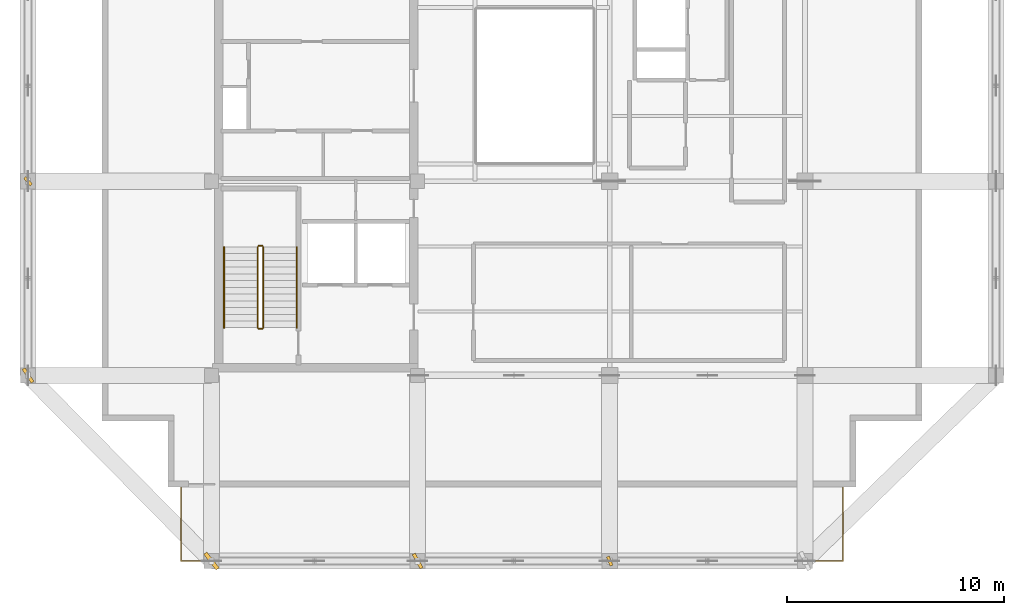
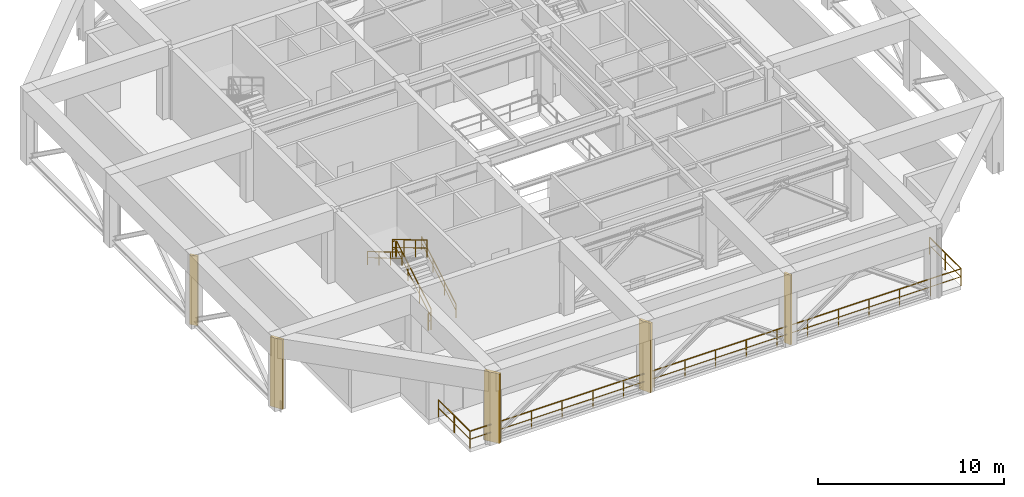
# One storey, part 7 of 10: 7 railings, 5 shading devices.
"""IFC4 building model written with IfcOpenShell, lengths in metres."""

from ifc_helpers import new_model, si_unit, direction, frame, origin, origin_2d, place, context, subcontext, project, spatial, rectangle, extrude, material, type_object, element, save


model = new_model("IFC4")

# Units and contexts
model_context = context("Model", 3, precision=1e-05, world=origin(), true_north=direction((0.0, 1.0)))
body_context = subcontext(model_context, "Body", "Model", "MODEL_VIEW")
ifc_project = project(units=[si_unit("LENGTHUNIT", "METRE"), si_unit("AREAUNIT", "SQUARE_METRE"), si_unit("VOLUMEUNIT", "CUBIC_METRE"), si_unit("PLANEANGLEUNIT", "RADIAN"), si_unit("MASSUNIT", "GRAM", prefix="KILO")], contexts=[model_context])

# Site, building, storey
site_placement = place(None, origin())
site = spatial("IfcSite", under=ifc_project, at=site_placement, CompositionType="ELEMENT")
building_placement = place(site_placement, origin())
building = spatial("IfcBuilding", under=site, at=building_placement, Name="Kundavana Baori Tower", CompositionType="ELEMENT")
storey_placement = place(building_placement, frame((0.0, 0.0, 307.699951171875)))
storey = spatial("IfcBuildingStorey", under=building, at=storey_placement, Name="L76", CompositionType="ELEMENT", Elevation=307.699951171875)

# Railings
ifc_material_1 = material(Name="Architectural Patinated Bronze Metalwork")
railing_type_1 = type_object("IfcRailingType", Name="RL-BAL-1150", PredefinedType="BALUSTRADE", material=ifc_material_1)
railing_1_placement = place(storey_placement, frame((44.550048828125, 10.10009765625, 0.0)))
element("IfcRailing", 1, at=railing_1_placement, inside=storey, type_object=railing_type_1, Name="L76 Sky Terrace Guard Balustrade S", PredefinedType="BALUSTRADE", context=body_context, shape_type="SweptSolid", body=[
    extrude(rectangle(XDim=0.048095703125, YDim=0.048095703125, at=origin_2d()), frame((0.0, 0.0, 1.1259765625), z_axis=(0.0, -1.0, 0.0), x_axis=(1.0, 0.0, 0.0)), (0.0, 0.0, 1.0), 3.400146484375),
    extrude(rectangle(XDim=0.03125, YDim=0.03125, at=origin_2d()), frame((0.0, 0.0, 0.597900390625), z_axis=(0.0, -1.0, 0.0), x_axis=(1.0, 0.0, 0.0)), (0.0, 0.0, 1.0), 3.400146484375),
    extrude(rectangle(XDim=0.048095703125, YDim=0.048095703125, at=origin_2d()), frame((0.0, -3.400146484375, 1.1259765625), z_axis=(-1.0, 0.0, 0.0), x_axis=(0.0, -1.0, 0.0)), (0.0, 0.0, 1.0), 30.5),
    extrude(rectangle(XDim=0.03125, YDim=0.03125, at=origin_2d()), frame((0.0, -3.400146484375, 0.597900390625), z_axis=(-1.0, 0.0, 0.0), x_axis=(0.0, -1.0, 0.0)), (0.0, 0.0, 1.0), 30.5),
    extrude(rectangle(XDim=0.048095703125, YDim=0.048095703125, at=origin_2d()), frame((-30.5, -3.400146484375, 1.1259765625), z_axis=(0.0, 1.0, 0.0), x_axis=(-1.0, 0.0, 0.0)), (0.0, 0.0, 1.0), 3.400146484375),
    extrude(rectangle(XDim=0.03125, YDim=0.03125, at=origin_2d()), frame((-30.5, -3.400146484375, 0.597900390625), z_axis=(0.0, 1.0, 0.0), x_axis=(-1.0, 0.0, 0.0)), (0.0, 0.0, 1.0), 3.400146484375),
    extrude(rectangle(XDim=0.0419921875, YDim=0.0419921875, at=origin_2d()), origin(), (0.0, 0.0, 1.0), 1.101806640625),
    extrude(rectangle(XDim=0.0419921875, YDim=0.0419921875, at=origin_2d()), frame((0.0, -1.7001953125, 0.0)), (0.0, 0.0, 1.0), 1.101806640625),
    extrude(rectangle(XDim=0.0419921875, YDim=0.0419921875, at=origin_2d()), frame((0.0, -3.400146484375, 0.0)), (0.0, 0.0, 1.0), 1.101806640625),
    extrude(rectangle(XDim=0.0419921875, YDim=0.0419921875, at=origin_2d()), frame((-1.90625, -3.400146484375, 0.0)), (0.0, 0.0, 1.0), 1.101806640625),
    extrude(rectangle(XDim=0.0419921875, YDim=0.0419921875, at=origin_2d()), frame((-3.8125, -3.400146484375, 0.0)), (0.0, 0.0, 1.0), 1.101806640625),
    extrude(rectangle(XDim=0.0419921875, YDim=0.0419921875, at=origin_2d()), frame((-5.71875, -3.400146484375, 0.0)), (0.0, 0.0, 1.0), 1.101806640625),
    extrude(rectangle(XDim=0.0419921875, YDim=0.0419921875, at=origin_2d()), frame((-7.625, -3.400146484375, 0.0)), (0.0, 0.0, 1.0), 1.101806640625),
    extrude(rectangle(XDim=0.0419921875, YDim=0.0419921875, at=origin_2d()), frame((-9.53125, -3.400146484375, 0.0)), (0.0, 0.0, 1.0), 1.101806640625),
    extrude(rectangle(XDim=0.0419921875, YDim=0.0419921875, at=origin_2d()), frame((-11.4375, -3.400146484375, 0.0)), (0.0, 0.0, 1.0), 1.101806640625),
    extrude(rectangle(XDim=0.0419921875, YDim=0.0419921875, at=origin_2d()), frame((-13.34375, -3.400146484375, 0.0)), (0.0, 0.0, 1.0), 1.101806640625),
    extrude(rectangle(XDim=0.0419921875, YDim=0.0419921875, at=origin_2d()), frame((-15.25, -3.400146484375, 0.0)), (0.0, 0.0, 1.0), 1.101806640625),
    extrude(rectangle(XDim=0.0419921875, YDim=0.0419921875, at=origin_2d()), frame((-17.15625, -3.400146484375, 0.0)), (0.0, 0.0, 1.0), 1.101806640625),
    extrude(rectangle(XDim=0.0419921875, YDim=0.0419921875, at=origin_2d()), frame((-19.0625, -3.400146484375, 0.0)), (0.0, 0.0, 1.0), 1.101806640625),
    extrude(rectangle(XDim=0.0419921875, YDim=0.0419921875, at=origin_2d()), frame((-20.96875, -3.400146484375, 0.0)), (0.0, 0.0, 1.0), 1.101806640625),
    extrude(rectangle(XDim=0.0419921875, YDim=0.0419921875, at=origin_2d()), frame((-22.875, -3.400146484375, 0.0)), (0.0, 0.0, 1.0), 1.101806640625),
    extrude(rectangle(XDim=0.0419921875, YDim=0.0419921875, at=origin_2d()), frame((-24.78125, -3.400146484375, 0.0)), (0.0, 0.0, 1.0), 1.101806640625),
    extrude(rectangle(XDim=0.0419921875, YDim=0.0419921875, at=origin_2d()), frame((-26.6875, -3.400146484375, 0.0)), (0.0, 0.0, 1.0), 1.101806640625),
    extrude(rectangle(XDim=0.0419921875, YDim=0.0419921875, at=origin_2d()), frame((-28.59375, -3.400146484375, 0.0)), (0.0, 0.0, 1.0), 1.101806640625),
    extrude(rectangle(XDim=0.0419921875, YDim=0.0419921875, at=origin_2d()), frame((-30.5, -3.400146484375, 0.0)), (0.0, 0.0, 1.0), 1.101806640625),
    extrude(rectangle(XDim=0.0419921875, YDim=0.0419921875, at=origin_2d()), frame((-30.5, -1.7001953125, 0.0)), (0.0, 0.0, 1.0), 1.101806640625),
    extrude(rectangle(XDim=0.0419921875, YDim=0.0419921875, at=origin_2d()), frame((-30.5, 0.0, 0.0)), (0.0, 0.0, 1.0), 1.101806640625),
])
ifc_material_2 = material(Name="Architectural Patinated Bronze Metalwork")
railing_type_2 = type_object("IfcRailingType", Name="RL-GRD-1150", PredefinedType="GUARDRAIL", material=ifc_material_2)
railing_2_placement = place(storey_placement, frame((17.840087890625, 17.449951171875, 0.1845703125)))
element("IfcRailing", 2, at=railing_2_placement, inside=storey, type_object=railing_type_2, Name="L76 ST1 stair guard 1", PredefinedType="GUARDRAIL", context=body_context, shape_type="SweptSolid", body=[
    extrude(rectangle(XDim=0.048095703125, YDim=0.048095703125, at=origin_2d()), frame((0.0, 0.0, 1.1259765625), z_axis=(0.0, 0.859160091256, 0.511706886404), x_axis=(-1.0, 0.0, 0.0)), (0.0, 0.0, 1.0), 4.329833984375),
    extrude(rectangle(XDim=0.03125, YDim=0.03125, at=origin_2d()), frame((0.0, 0.0, 0.597900390625), z_axis=(0.0, 0.859160091256, 0.511706886404), x_axis=(-1.0, 0.0, 0.0)), (0.0, 0.0, 1.0), 4.329833984375),
    extrude(rectangle(XDim=0.0419921875, YDim=0.0419921875, at=origin_2d()), origin(), (0.0, 0.0, 1.0), 1.101806640625),
    extrude(rectangle(XDim=0.0419921875, YDim=0.0419921875, at=origin_2d()), frame((0.0, 1.239990234375, 0.738525390625)), (0.0, 0.0, 1.0), 1.101806640625),
    extrude(rectangle(XDim=0.0419921875, YDim=0.0419921875, at=origin_2d()), frame((0.0, 2.47998046875, 1.47705078125)), (0.0, 0.0, 1.0), 1.101806640625),
    extrude(rectangle(XDim=0.0419921875, YDim=0.0419921875, at=origin_2d()), frame((0.0, 3.719970703125, 2.215576171875)), (0.0, 0.0, 1.0), 1.101806640625),
])
railing_3_placement = place(storey_placement, frame((17.7900390625, 21.219970703125, 2.400146484375)))
element("IfcRailing", 3, at=railing_3_placement, inside=storey, type_object=railing_type_2, Name="L76 ST1 stair guard 2", PredefinedType="GUARDRAIL", context=body_context, shape_type="SweptSolid", body=[
    extrude(rectangle(XDim=0.048095703125, YDim=0.048095703125, at=origin_2d()), frame((0.0, 0.0, 1.1259765625), z_axis=(-1.0, 0.0, 0.0), x_axis=(0.0, -1.0, 0.0)), (0.0, 0.0, 1.0), 0.16015625),
    extrude(rectangle(XDim=0.03125, YDim=0.03125, at=origin_2d()), frame((0.0, 0.0, 0.597900390625), z_axis=(-1.0, 0.0, 0.0), x_axis=(0.0, -1.0, 0.0)), (0.0, 0.0, 1.0), 0.16015625),
    extrude(rectangle(XDim=0.0419921875, YDim=0.0419921875, at=origin_2d()), origin(), (0.0, 0.0, 1.0), 1.101806640625),
    extrude(rectangle(XDim=0.0419921875, YDim=0.0419921875, at=origin_2d()), frame((-0.16015625, 0.0, 0.0)), (0.0, 0.0, 1.0), 1.101806640625),
])
railing_4_placement = place(storey_placement, frame((17.580078125, 21.169921875, 2.584716796875)))
element("IfcRailing", 4, at=railing_4_placement, inside=storey, type_object=railing_type_2, Name="L76 ST1 stair guard 3", PredefinedType="GUARDRAIL", context=body_context, shape_type="SweptSolid", body=[
    extrude(rectangle(XDim=0.048095703125, YDim=0.048095703125, at=origin_2d()), frame((0.0, 0.0, 1.1259765625), z_axis=(0.0, -0.859184880589, 0.511665262615), x_axis=(1.0, 0.0, 0.0)), (0.0, 0.0, 1.0), 4.32958984375),
    extrude(rectangle(XDim=0.03125, YDim=0.03125, at=origin_2d()), frame((0.0, 0.0, 0.597900390625), z_axis=(0.0, -0.859184880589, 0.511665262615), x_axis=(1.0, 0.0, 0.0)), (0.0, 0.0, 1.0), 4.32958984375),
    extrude(rectangle(XDim=0.0419921875, YDim=0.0419921875, at=origin_2d()), origin(), (0.0, 0.0, 1.0), 1.101806640625),
    extrude(rectangle(XDim=0.0419921875, YDim=0.0419921875, at=origin_2d()), frame((0.0, -1.239990234375, 0.738525390625)), (0.0, 0.0, 1.0), 1.101806640625),
    extrude(rectangle(XDim=0.0419921875, YDim=0.0419921875, at=origin_2d()), frame((0.0, -2.47998046875, 1.476806640625)), (0.0, 0.0, 1.0), 1.101806640625),
    extrude(rectangle(XDim=0.0419921875, YDim=0.0419921875, at=origin_2d()), frame((0.0, -3.719970703125, 2.21533203125)), (0.0, 0.0, 1.0), 1.101806640625),
])
railing_5_placement = place(storey_placement, frame((17.7900390625, 17.39990234375, 0.0)))
element("IfcRailing", 5, at=railing_5_placement, inside=storey, type_object=railing_type_2, Name="L76 ST1 stair guard 4", PredefinedType="GUARDRAIL", context=body_context, shape_type="SweptSolid", body=[
    extrude(rectangle(XDim=0.048095703125, YDim=0.048095703125, at=origin_2d()), frame((0.0, 0.0, 1.1259765625), z_axis=(-1.0, 0.0, 0.0), x_axis=(0.0, -1.0, 0.0)), (0.0, 0.0, 1.0), 0.16015625),
    extrude(rectangle(XDim=0.03125, YDim=0.03125, at=origin_2d()), frame((0.0, 0.0, 0.597900390625), z_axis=(-1.0, 0.0, 0.0), x_axis=(0.0, -1.0, 0.0)), (0.0, 0.0, 1.0), 0.16015625),
    extrude(rectangle(XDim=0.0419921875, YDim=0.0419921875, at=origin_2d()), origin(), (0.0, 0.0, 1.0), 1.101806640625),
    extrude(rectangle(XDim=0.0419921875, YDim=0.0419921875, at=origin_2d()), frame((-0.16015625, 0.0, 0.0)), (0.0, 0.0, 1.0), 1.101806640625),
])
ifc_material_3 = material(Name="Architectural Patinated Bronze Metalwork")
railing_type_3 = type_object("IfcRailingType", Name="RL-HND-920", PredefinedType="HANDRAIL", material=ifc_material_3)
railing_6_placement = place(storey_placement, frame((19.389892578125, 17.449951171875, 0.1845703125)))
element("IfcRailing", 6, at=railing_6_placement, inside=storey, type_object=railing_type_3, Name="L76 ST1 stair handrail 1", PredefinedType="HANDRAIL", context=body_context, shape_type="SweptSolid", body=[
    extrude(rectangle(XDim=0.048095703125, YDim=0.048095703125, at=origin_2d()), frame((0.0, 0.0, 0.8759765625), z_axis=(0.0, 0.859160091256, 0.511706886404), x_axis=(-1.0, 0.0, 0.0)), (0.0, 0.0, 1.0), 4.329833984375),
    extrude(rectangle(XDim=0.03125, YDim=0.03125, at=origin_2d()), frame((0.0, 0.0, 0.468017578125), z_axis=(0.0, 0.859160091256, 0.511706886404), x_axis=(-1.0, 0.0, 0.0)), (0.0, 0.0, 1.0), 4.329833984375),
    extrude(rectangle(XDim=0.0419921875, YDim=0.0419921875, at=origin_2d()), origin(), (0.0, 0.0, 1.0), 0.851806640625),
    extrude(rectangle(XDim=0.0419921875, YDim=0.0419921875, at=origin_2d()), frame((0.0, 1.239990234375, 0.738525390625)), (0.0, 0.0, 1.0), 0.851806640625),
    extrude(rectangle(XDim=0.0419921875, YDim=0.0419921875, at=origin_2d()), frame((0.0, 2.47998046875, 1.47705078125)), (0.0, 0.0, 1.0), 0.851806640625),
    extrude(rectangle(XDim=0.0419921875, YDim=0.0419921875, at=origin_2d()), frame((0.0, 3.719970703125, 2.215576171875)), (0.0, 0.0, 1.0), 0.851806640625),
])
railing_7_placement = place(storey_placement, frame((16.030029296875, 21.169921875, 2.584716796875)))
element("IfcRailing", 7, at=railing_7_placement, inside=storey, type_object=railing_type_3, Name="L76 ST1 stair handrail 2", PredefinedType="HANDRAIL", context=body_context, shape_type="SweptSolid", body=[
    extrude(rectangle(XDim=0.048095703125, YDim=0.048095703125, at=origin_2d()), frame((0.0, 0.0, 0.8759765625), z_axis=(0.0, -0.859184880589, 0.511665262615), x_axis=(1.0, 0.0, 0.0)), (0.0, 0.0, 1.0), 4.32958984375),
    extrude(rectangle(XDim=0.03125, YDim=0.03125, at=origin_2d()), frame((0.0, 0.0, 0.468017578125), z_axis=(0.0, -0.859184880589, 0.511665262615), x_axis=(1.0, 0.0, 0.0)), (0.0, 0.0, 1.0), 4.32958984375),
    extrude(rectangle(XDim=0.0419921875, YDim=0.0419921875, at=origin_2d()), origin(), (0.0, 0.0, 1.0), 0.851806640625),
    extrude(rectangle(XDim=0.0419921875, YDim=0.0419921875, at=origin_2d()), frame((0.0, -1.239990234375, 0.738525390625)), (0.0, 0.0, 1.0), 0.851806640625),
    extrude(rectangle(XDim=0.0419921875, YDim=0.0419921875, at=origin_2d()), frame((0.0, -2.47998046875, 1.476806640625)), (0.0, 0.0, 1.0), 0.851806640625),
    extrude(rectangle(XDim=0.0419921875, YDim=0.0419921875, at=origin_2d()), frame((0.0, -3.719970703125, 2.21533203125)), (0.0, 0.0, 1.0), 0.851806640625),
])

# Shading devices
ifc_material_4 = material(Name="Red-Buff Dholpur Sandstone Cladding on Concrete C40/50", Category="masonry")
shading_device_type_1 = type_object("IfcShadingDeviceType", Name="SHD-FIN-750", PredefinedType="JALOUSIE", material=ifc_material_4)
for number, where, z_axis, x_axis, name in (
    (8, (24.949951171875, 6.699951171875, 0.0), (0.0, 0.0, 1.0), (0.876306680044, 0.481753674102, 0.0), "L76 Sweeping Dholpur Sandstone Facade Fin 2"),
    (9, (7.0, 15.25, 0.0), (0.0, 0.0, 1.0), (0.830693079675, 0.556730641675, 0.0), "L76 Sweeping Dholpur Sandstone Facade Fin 5"),
):
    element("IfcShadingDevice", number, at=place(storey_placement, frame(where, z_axis=z_axis, x_axis=x_axis)), inside=storey, type_object=shading_device_type_1, Name=name, PredefinedType="JALOUSIE", context=body_context, shape_type="SweptSolid", body=[
        extrude(rectangle(XDim=0.159912109375, YDim=0.75, at=origin_2d()), origin(), (0.0, 0.0, 1.0), 4.56005859375),
    ])
ifc_material_5 = material(Name="Red-Buff Dholpur Sandstone Cladding on Concrete C40/50", Category="masonry")
shading_device_type_2 = type_object("IfcShadingDeviceType", Name="SHD-FIN-920", PredefinedType="JALOUSIE", material=ifc_material_5)
shading_device_placement = place(storey_placement, frame((15.449951171875, 6.699951171875, 0.0), z_axis=(0.0, 0.0, 1.0), x_axis=(0.785424971197, 0.61895687622, 0.0)))
element("IfcShadingDevice", 10, at=shading_device_placement, inside=storey, type_object=shading_device_type_2, Name="L76 Sweeping Dholpur Sandstone Facade Fin 1", PredefinedType="JALOUSIE", context=body_context, shape_type="SweptSolid", body=[
    extrude(rectangle(XDim=0.179931640625, YDim=0.919921875, at=origin_2d()), origin(), (0.0, 0.0, 1.0), 4.56005859375),
])
ifc_material_6 = material(Name="Architectural Patinated Bronze Metalwork")
shading_device_type_3 = type_object("IfcShadingDeviceType", Name="SHD-LOUV-450", PredefinedType="SHUTTER", material=ifc_material_6)
for number, where, z_axis, x_axis, name in (
    (11, (33.800048828125, 6.699951171875, 0.0), (0.0, 0.0, 1.0), (0.925209718386, 0.379456159529, 0.0), "L76 Sweeping Dholpur Sandstone Facade Fin 3"),
    (12, (7.0, 24.199951171875, 0.0), (0.0, 0.0, 1.0), (0.751724718475, 0.659477025858, 0.0), "L76 Sweeping Dholpur Sandstone Facade Fin 6"),
):
    element("IfcShadingDevice", number, at=place(storey_placement, frame(where, z_axis=z_axis, x_axis=x_axis)), inside=storey, type_object=shading_device_type_3, Name=name, PredefinedType="SHUTTER", context=body_context, shape_type="SweptSolid", body=[
        extrude(rectangle(XDim=0.139892578125, YDim=0.449951171875, at=origin_2d()), origin(), (0.0, 0.0, 1.0), 4.56005859375),
    ])

save(model, "model.ifc")
